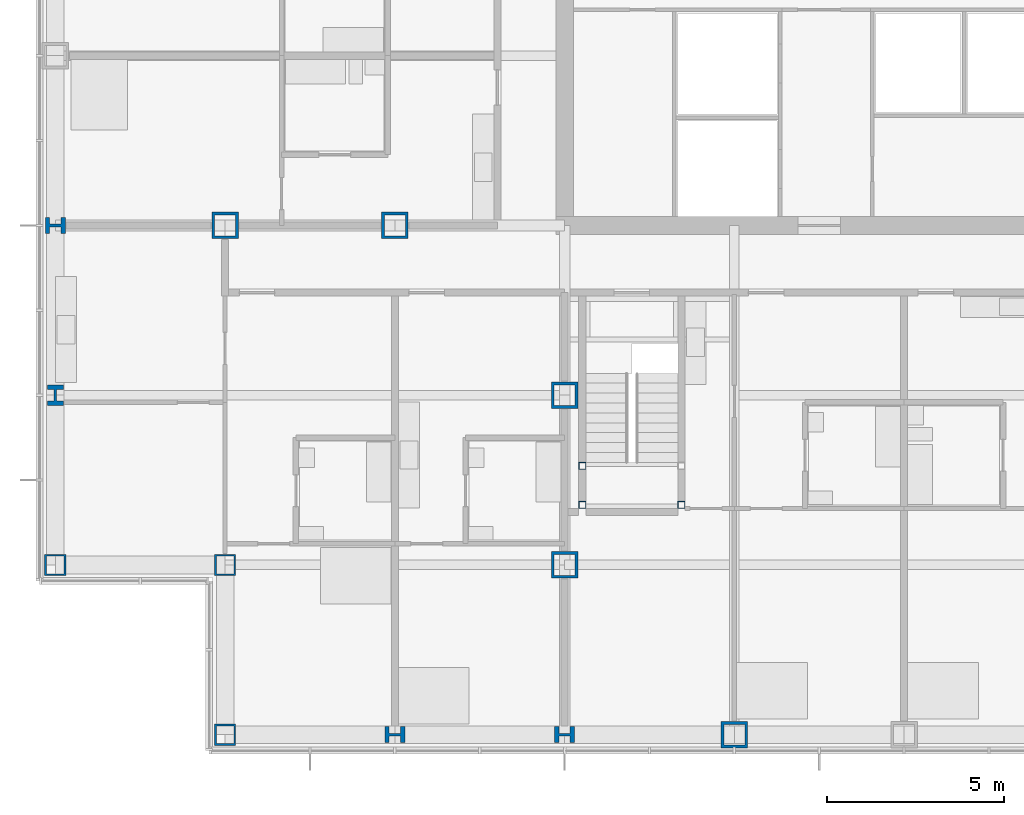
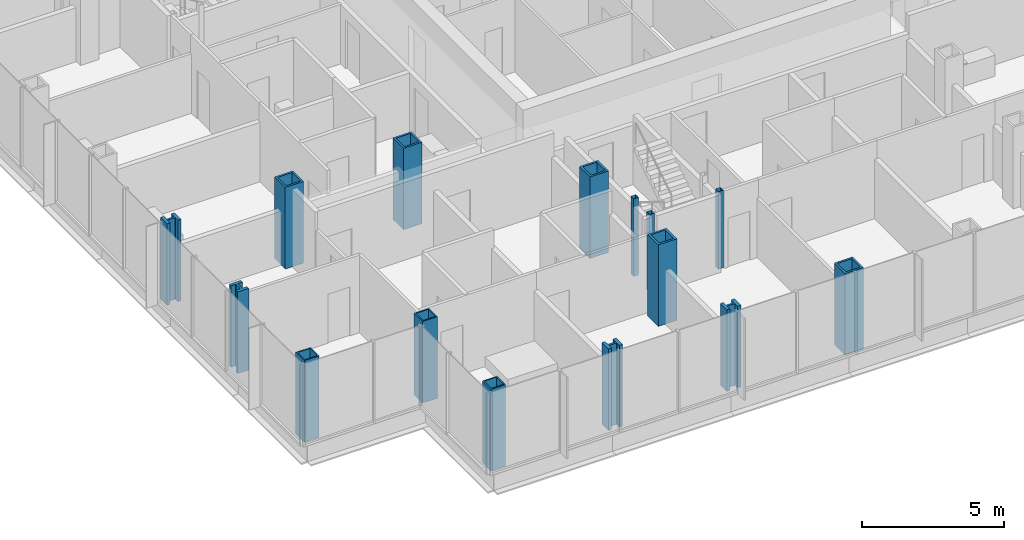
# One storey, part 1 of 21: 15 columns.
"""IFC4 building model written with IfcOpenShell, lengths in metres."""

from ifc_helpers import new_model, si_unit, direction, frame, origin, origin_2d, place, context, subcontext, project, spatial, hollow_rectangle, i_section, extrude, material, material_profile, profile_set, type_object, element, save


model = new_model("IFC4")

# Units and contexts
model_context = context("Model", 3, precision=1e-05, world=origin(), true_north=direction((0.0, 1.0)))
body_context = subcontext(model_context, "Body", "Model", "MODEL_VIEW")
ifc_project = project(units=[si_unit("LENGTHUNIT", "METRE"), si_unit("AREAUNIT", "SQUARE_METRE"), si_unit("VOLUMEUNIT", "CUBIC_METRE"), si_unit("PLANEANGLEUNIT", "RADIAN"), si_unit("MASSUNIT", "GRAM", prefix="KILO")], contexts=[model_context])

# Site, building, storey
site_placement = place(None, origin())
site = spatial("IfcSite", under=ifc_project, at=site_placement, CompositionType="ELEMENT")
building_placement = place(site_placement, origin())
building = spatial("IfcBuilding", under=site, at=building_placement, Name="Kvirike Care Tower", CompositionType="ELEMENT")
storey_placement = place(building_placement, frame((0.0, 0.0, 27.0)))
storey = spatial("IfcBuildingStorey", under=building, at=storey_placement, Name="L06", CompositionType="ELEMENT", Elevation=27.0)

# Columns
ifc_material_1 = material(Name="Steel S460", Category="steel")
ifc_material_profile_1 = material_profile(ifc_material_1, hollow_rectangle(XDim=0.60009765625, YDim=0.60009765625, WallThickness=0.050048828125, at=origin_2d()), Name="BX 600x600x50")
ifc_profile_set_1 = profile_set([ifc_material_profile_1], Name="Steel S460")
column_type_1 = type_object("IfcColumnType", Name="COLUMN BX 600x600x50", PredefinedType="COLUMN", material=ifc_profile_set_1)
for number, where, z_axis, x_axis, name in (
    (1, (0.0, 19.199951171875, 0.0), (0.0, 0.0, 1.0), (0.0, 1.0, 0.0), "Column E3 L06"),
    (2, (4.800048828125, 14.39990234375, 0.0), (0.0, 0.0, 1.0), (0.0, 1.0, 0.0), "Column D4 L06"),
    (3, (4.800048828125, 19.199951171875, 0.0), (0.0, 0.0, 1.0), (0.0, 1.0, 0.0), "Column E4 L06"),
):
    element("IfcColumn", number, at=place(storey_placement, frame(where, z_axis=z_axis, x_axis=x_axis)), inside=storey, type_object=column_type_1, Name=name, PredefinedType="COLUMN", context=body_context, shape_type="SweptSolid", body=[
        extrude(hollow_rectangle(XDim=0.60009765625, YDim=0.60009765625, WallThickness=0.050048828125, at=origin_2d()), origin(), (0.0, 0.0, 1.0), 3.5),
    ])
ifc_material_2 = material(Name="Steel S460", Category="steel")
ifc_material_profile_2 = material_profile(ifc_material_2, hollow_rectangle(XDim=0.75, YDim=0.75, WallThickness=0.080078125, at=origin_2d()), Name="BX 750x750x80")
ifc_profile_set_2 = profile_set([ifc_material_profile_2], Name="Steel S460")
column_type_2 = type_object("IfcColumnType", Name="COLUMN BX 750x750x80", PredefinedType="COLUMN", material=ifc_profile_set_2)
for number, where, z_axis, x_axis, name in (
    (4, (4.800048828125, 28.800048828125, 0.0), (0.0, 0.0, 1.0), (0.0, 1.0, 0.0), "Column G4 L06"),
    (5, (9.60009765625, 28.800048828125, 0.0), (0.0, 0.0, 1.0), (0.0, 1.0, 0.0), "Column G5 L06"),
    (6, (14.39990234375, 19.199951171875, 0.0), (0.0, 0.0, 1.0), (1.0, 0.0, 0.0), "Column E6 L06"),
    (7, (14.39990234375, 24.0, 0.0), (0.0, 0.0, 1.0), (1.0, 0.0, 0.0), "Column F6 L06"),
    (8, (19.199951171875, 14.39990234375, 0.0), (0.0, 0.0, 1.0), (0.0, 1.0, 0.0), "Column D7 L06"),
):
    element("IfcColumn", number, at=place(storey_placement, frame(where, z_axis=z_axis, x_axis=x_axis)), inside=storey, type_object=column_type_2, Name=name, PredefinedType="COLUMN", context=body_context, shape_type="SweptSolid", body=[
        extrude(hollow_rectangle(XDim=0.75, YDim=0.75, WallThickness=0.080078125, at=origin_2d()), origin(), (0.0, 0.0, 1.0), 3.5),
    ])
ifc_material_3 = material(Name="Steel S460", Category="steel")
ifc_material_profile_3 = material_profile(ifc_material_3, i_section(OverallWidth=0.4541015625, OverallDepth=0.569091796875, WebThickness=0.077880859375, FlangeThickness=0.125, FilletRadius=0.014892578125, at=origin_2d()), Name="HD 400x1086")
ifc_profile_set_3 = profile_set([ifc_material_profile_3], Name="Steel S460")
column_type_3 = type_object("IfcColumnType", Name="COLUMN HD 400x1086", PredefinedType="COLUMN", material=ifc_profile_set_3)
for number, where, z_axis, x_axis, name in (
    (9, (0.0, 24.0, 0.0), (0.0, 0.0, 1.0), (1.0, 0.0, 0.0), "Column F3 L06"),
    (10, (0.0, 28.800048828125, 0.0), (0.0, 0.0, 1.0), (0.0, 1.0, 0.0), "Column G3 L06"),
    (11, (9.60009765625, 14.39990234375, 0.0), (0.0, 0.0, 1.0), (0.0, 1.0, 0.0), "Column D5 L06"),
    (12, (14.39990234375, 14.39990234375, 0.0), (0.0, 0.0, 1.0), (0.0, 1.0, 0.0), "Column D6 L06"),
):
    element("IfcColumn", number, at=place(storey_placement, frame(where, z_axis=z_axis, x_axis=x_axis)), inside=storey, type_object=column_type_3, Name=name, PredefinedType="COLUMN", context=body_context, shape_type="SweptSolid", body=[
        extrude(i_section(OverallWidth=0.4541015625, OverallDepth=0.569091796875, WebThickness=0.077880859375, FlangeThickness=0.125, FilletRadius=0.014892578125, at=origin_2d()), origin(), (0.0, 0.0, 1.0), 3.5),
    ])
ifc_material_4 = material(Name="Steel S460", Category="steel")
ifc_material_profile_4 = material_profile(ifc_material_4, hollow_rectangle(XDim=0.199951171875, YDim=0.199951171875, WallThickness=0.008056640625, at=origin_2d()), Name="SHS 200x200x8")
ifc_profile_set_4 = profile_set([ifc_material_profile_4], Name="Steel S460")
column_type_4 = type_object("IfcColumnType", Name="STAIR POST SHS 200x200x8", PredefinedType="COLUMN", material=ifc_profile_set_4)
for number, where, z_axis, x_axis, name in (
    (13, (14.89990234375, 20.89990234375, 0.0), (0.0, 0.0, 1.0), (1.0, 0.0, 0.0), "Stair 5 post 1 L06"),
    (14, (17.699951171875, 20.89990234375, 0.0), (0.0, 0.0, 1.0), (1.0, 0.0, 0.0), "Stair 5 post 2 L06"),
    (15, (14.89990234375, 22.0, 0.0), (0.0, 0.0, 1.0), (1.0, 0.0, 0.0), "Stair 5 post 3 L06"),
):
    element("IfcColumn", number, at=place(storey_placement, frame(where, z_axis=z_axis, x_axis=x_axis)), inside=storey, type_object=column_type_4, Name=name, PredefinedType="COLUMN", context=body_context, shape_type="SweptSolid", body=[
        extrude(hollow_rectangle(XDim=0.199951171875, YDim=0.199951171875, WallThickness=0.008056640625, at=origin_2d()), origin(), (0.0, 0.0, 1.0), 3.330078125),
    ])

save(model, "model.ifc")
